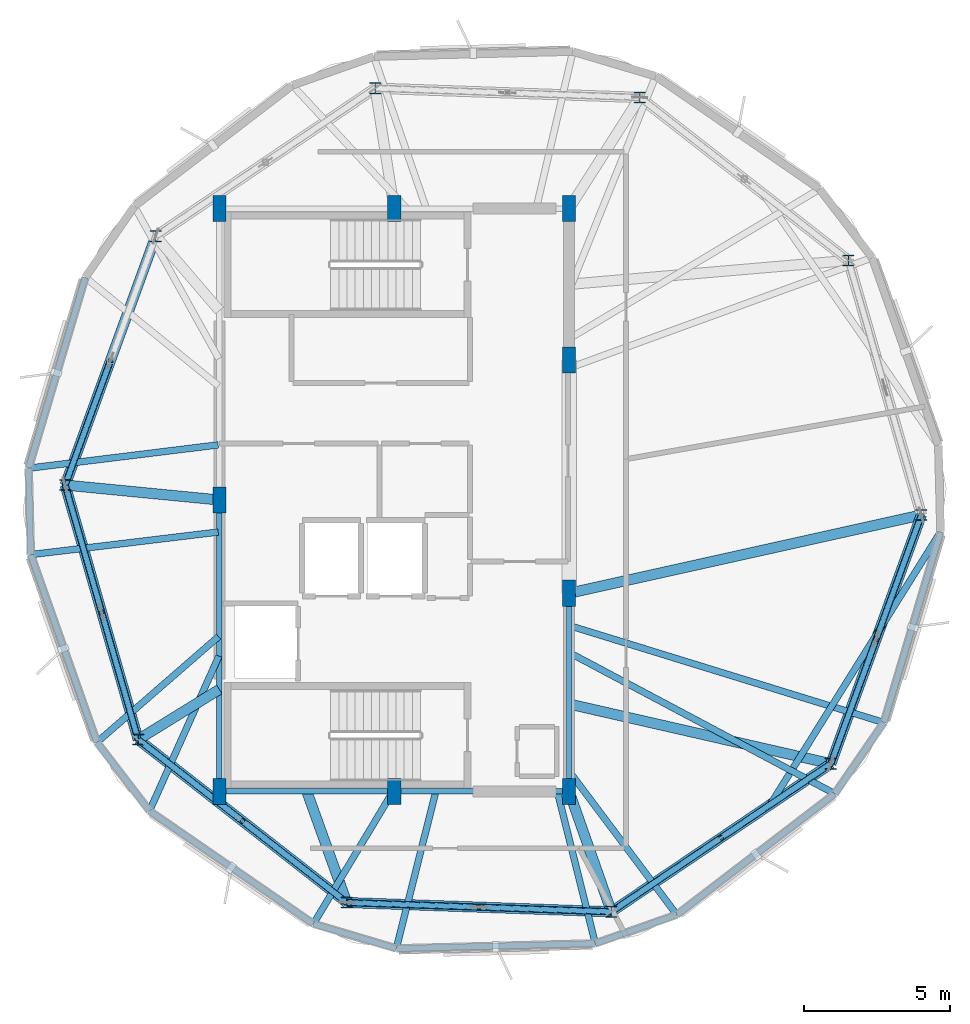
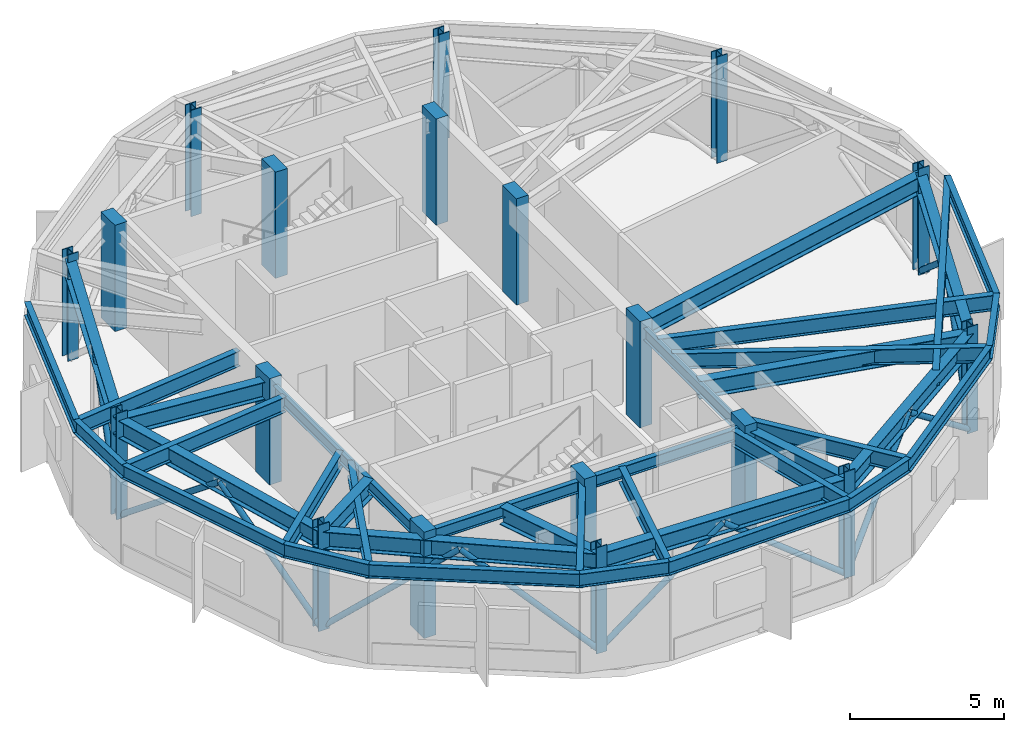
# One storey, part 1 of 9: 38 beams, 19 columns, 11 members.
"""IFC4 building model written with IfcOpenShell, lengths in metres."""

from ifc_helpers import new_model, si_unit, direction, frame, origin, origin_2d, place, context, subcontext, project, spatial, rectangle, hollow_circle, i_section, extrude, material, material_profile, profile_set, type_object, element, save


model = new_model("IFC4")

# Units and contexts
model_context = context("Model", 3, precision=1e-05, world=origin(), true_north=direction((0.0, 1.0)))
body_context = subcontext(model_context, "Body", "Model", "MODEL_VIEW")
ifc_project = project(units=[si_unit("LENGTHUNIT", "METRE"), si_unit("AREAUNIT", "SQUARE_METRE"), si_unit("VOLUMEUNIT", "CUBIC_METRE"), si_unit("PLANEANGLEUNIT", "RADIAN"), si_unit("MASSUNIT", "GRAM", prefix="KILO")], contexts=[model_context])

# Site, building, storey
site_placement = place(None, origin())
site = spatial("IfcSite", under=ifc_project, at=site_placement, CompositionType="ELEMENT")
building_placement = place(site_placement, origin())
building = spatial("IfcBuilding", under=site, at=building_placement, Name="Soratama Intermodal Tower", CompositionType="ELEMENT")
storey_placement = place(building_placement, frame((0.0, 0.0, 305.64990234375)))
storey = spatial("IfcBuildingStorey", under=building, at=storey_placement, Name="L77", CompositionType="ELEMENT", Elevation=305.64990234375)

# Columns
ifc_material_1 = material(Name="Structural steel ASTM A992 Grade 50", Category="steel")
ifc_material_profile_1 = material_profile(ifc_material_1, i_section(OverallWidth=0.39794921875, OverallDepth=0.386962890625, WebThickness=0.02099609375, FlangeThickness=0.033203125, FilletRadius=0.0380859375, at=origin_2d()), Name="W14X176")
ifc_profile_set_1 = profile_set([ifc_material_profile_1], Name="Structural steel ASTM A992 Grade 50")
column_type_1 = type_object("IfcColumnType", Name="COL-ZF-W14X176", PredefinedType="COLUMN", material=ifc_profile_set_1)
for number, where, z_axis, x_axis, name in (
    (1, (54.18701171875, 33.22021484375, 0.0), (0.0, 0.0, 1.0), (1.0, 0.0, 0.0), "L77 Tower Ring Column R01"),
    (2, (47.027587890625, 38.8134765625, 0.0), (0.0, 0.0, 1.0), (1.0, 0.0, 0.0), "L77 Tower Ring Column R02"),
    (3, (37.947998046875, 39.130615234375, 0.0), (0.0, 0.0, 1.0), (1.0, 0.0, 0.0), "L77 Tower Ring Column R03"),
    (4, (30.416259765625, 34.05029296875, 0.0), (0.0, 0.0, 1.0), (1.0, 0.0, 0.0), "L77 Tower Ring Column R04"),
    (5, (27.30908203125, 25.512939453125, 0.0), (0.0, 0.0, 1.0), (1.0, 0.0, 0.0), "L77 Tower Ring Column R05"),
    (6, (29.81298828125, 16.77978515625, 0.0), (0.0, 0.0, 1.0), (1.0, 0.0, 0.0), "L77 Tower Ring Column R06"),
    (7, (36.972412109375, 11.1865234375, 0.0), (0.0, 0.0, 1.0), (1.0, 0.0, 0.0), "L77 Tower Ring Column R07"),
    (8, (46.052001953125, 10.869384765625, 0.0), (0.0, 0.0, 1.0), (1.0, 0.0, 0.0), "L77 Tower Ring Column R08"),
    (9, (53.583740234375, 15.94970703125, 0.0), (0.0, 0.0, 1.0), (1.0, 0.0, 0.0), "L77 Tower Ring Column R09"),
    (10, (56.69091796875, 24.487060546875, 0.0), (0.0, 0.0, 1.0), (1.0, 0.0, 0.0), "L77 Tower Ring Column R10"),
):
    element("IfcColumn", number, at=place(storey_placement, frame(where, z_axis=z_axis, x_axis=x_axis)), inside=storey, type_object=column_type_1, Name=name, PredefinedType="COLUMN", context=body_context, shape_type="SweptSolid", body=[
        extrude(i_section(OverallWidth=0.39794921875, OverallDepth=0.386962890625, WebThickness=0.02099609375, FlangeThickness=0.033203125, FilletRadius=0.0380859375, at=origin_2d()), origin(), (0.0, 0.0, 1.0), 4.2001953125),
    ])
ifc_material_2 = material(Name="Concrete f'c 56 MPa", Category="concrete")
ifc_material_profile_2 = material_profile(ifc_material_2, rectangle(XDim=0.449951171875, YDim=0.89990234375, at=origin_2d()), Name="RC450X900")
ifc_profile_set_2 = profile_set([ifc_material_profile_2], Name="Concrete f'c 56 MPa")
column_type_2 = type_object("IfcColumnType", Name="PIL-CORE-450X900", PredefinedType="PILASTER", material=ifc_profile_set_2)
for number, where, z_axis, x_axis, name in (
    (11, (32.60009765625, 15.0, 0.0), (0.0, 0.0, 1.0), (1.0, 0.0, 0.0), "L77 Core Pilaster 1"),
    (12, (32.60009765625, 25.0, 0.0), (0.0, 0.0, 1.0), (1.0, 0.0, 0.0), "L77 Core Pilaster 2"),
    (13, (32.60009765625, 35.0, 0.0), (0.0, 0.0, 1.0), (1.0, 0.0, 0.0), "L77 Core Pilaster 3"),
    (14, (38.60009765625, 15.0, 0.0), (0.0, 0.0, 1.0), (1.0, 0.0, 0.0), "L77 Core Pilaster 4"),
    (15, (38.60009765625, 35.0, 0.0), (0.0, 0.0, 1.0), (1.0, 0.0, 0.0), "L77 Core Pilaster 5"),
    (16, (44.60009765625, 15.0, 0.0), (0.0, 0.0, 1.0), (1.0, 0.0, 0.0), "L77 Core Pilaster 6"),
    (17, (44.60009765625, 21.800048828125, 0.0), (0.0, 0.0, 1.0), (1.0, 0.0, 0.0), "L77 Core Pilaster 7"),
    (18, (44.60009765625, 29.800048828125, 0.0), (0.0, 0.0, 1.0), (1.0, 0.0, 0.0), "L77 Core Pilaster 8"),
    (19, (44.60009765625, 35.0, 0.0), (0.0, 0.0, 1.0), (1.0, 0.0, 0.0), "L77 Core Pilaster 9"),
):
    element("IfcColumn", number, at=place(storey_placement, frame(where, z_axis=z_axis, x_axis=x_axis)), inside=storey, type_object=column_type_2, Name=name, PredefinedType="PILASTER", context=body_context, shape_type="SweptSolid", body=[
        extrude(rectangle(XDim=0.449951171875, YDim=0.89990234375, at=origin_2d()), origin(), (0.0, 0.0, 1.0), 4.2001953125),
    ])

# Beams
ifc_material_3 = material(Name="Structural steel ASTM A992 Grade 50", Category="steel")
ifc_material_profile_3 = material_profile(ifc_material_3, i_section(OverallWidth=0.19091796875, OverallDepth=0.4599609375, WebThickness=0.010009765625, FlangeThickness=0.01611328125, FilletRadius=0.010986328125, at=origin_2d()), Name="W18X55")
ifc_profile_set_3 = profile_set([ifc_material_profile_3], Name="Structural steel ASTM A992 Grade 50")
beam_type_1 = type_object("IfcBeamType", Name="BM-FLR-W18X55", PredefinedType="BEAM", material=ifc_profile_set_3)
for number, where, z_axis, x_axis, name in (
    (20, (32.60009765625, 15.0, 3.6650390625), (1.0, 0.0, 0.0), (0.0, 1.0, 0.0), "BM-L77-CRING-01"),
    (21, (38.60009765625, 15.0, 3.6650390625), (1.0, 0.0, 0.0), (0.0, 1.0, 0.0), "BM-L77-CRING-02"),
):
    element("IfcBeam", number, at=place(storey_placement, frame(where, z_axis=z_axis, x_axis=x_axis)), inside=storey, type_object=beam_type_1, Name=name, PredefinedType="BEAM", context=body_context, shape_type="SweptSolid", body=[
        extrude(i_section(OverallWidth=0.19091796875, OverallDepth=0.4599609375, WebThickness=0.010009765625, FlangeThickness=0.01611328125, FilletRadius=0.010986328125, at=origin_2d()), origin(), (0.0, 0.0, 1.0), 6.0),
    ])
beam_1_placement = place(storey_placement, frame((44.60009765625, 15.0, 3.6650390625), z_axis=(0.0, 1.0, 0.0), x_axis=(-1.0, 0.0, 0.0)))
element("IfcBeam", 22, at=beam_1_placement, inside=storey, type_object=beam_type_1, Name="BM-L77-CRING-03", PredefinedType="BEAM", context=body_context, shape_type="SweptSolid", body=[
    extrude(i_section(OverallWidth=0.19091796875, OverallDepth=0.4599609375, WebThickness=0.010009765625, FlangeThickness=0.01611328125, FilletRadius=0.010986328125, at=origin_2d()), origin(), (0.0, 0.0, 1.0), 6.800048828125),
])
beam_2_placement = place(storey_placement, frame((32.60009765625, 25.0, 3.6650390625), z_axis=(0.0, -1.0, 0.0), x_axis=(1.0, 0.0, 0.0)))
element("IfcBeam", 23, at=beam_2_placement, inside=storey, type_object=beam_type_1, Name="BM-L77-CRING-09", PredefinedType="BEAM", context=body_context, shape_type="SweptSolid", body=[
    extrude(i_section(OverallWidth=0.19091796875, OverallDepth=0.4599609375, WebThickness=0.010009765625, FlangeThickness=0.01611328125, FilletRadius=0.010986328125, at=origin_2d()), origin(), (0.0, 0.0, 1.0), 10.0),
])
ifc_material_4 = material(Name="Structural steel ASTM A992 Grade 50", Category="steel")
ifc_material_profile_4 = material_profile(ifc_material_4, i_section(OverallWidth=0.35498046875, OverallDepth=0.695068359375, WebThickness=0.015380859375, FlangeThickness=0.02490234375, FilletRadius=0.01611328125, at=origin_2d()), Name="W27X146")
ifc_profile_set_4 = profile_set([ifc_material_profile_4], Name="Structural steel ASTM A992 Grade 50")
beam_type_2 = type_object("IfcBeamType", Name="BM-RING-W27X146", PredefinedType="BEAM", material=ifc_profile_set_4)
beam_3_placement = place(storey_placement, frame((30.416015625, 34.050048828125, 3.547607421875), z_axis=(-0.341989029925, -0.939703944555, 0.0), x_axis=(0.939703944555, -0.341989029925, 0.0)))
element("IfcBeam", 24, at=beam_3_placement, inside=storey, type_object=beam_type_2, Name="BM-L77-RING-04", PredefinedType="BEAM", context=body_context, shape_type="SweptSolid", body=[
    extrude(i_section(OverallWidth=0.35498046875, OverallDepth=0.695068359375, WebThickness=0.015380859375, FlangeThickness=0.02490234375, FilletRadius=0.01611328125, at=origin_2d()), origin(), (0.0, 0.0, 1.0), 9.0849609375),
])
for number, where, z_axis, x_axis, name in (
    (25, (27.30908203125, 25.512939453125, 3.547607421875), (0.275615442928, -0.961267979088, 0.0), (0.961267979088, 0.275615442928, 0.0), "BM-L77-RING-05"),
    (26, (29.81298828125, 16.780029296875, 3.547607421875), (0.78801907717, -0.615650821502, 0.0), (0.615650821502, 0.78801907717, 0.0), "BM-L77-RING-06"),
):
    element("IfcBeam", number, at=place(storey_placement, frame(where, z_axis=z_axis, x_axis=x_axis)), inside=storey, type_object=beam_type_2, Name=name, PredefinedType="BEAM", context=body_context, shape_type="SweptSolid", body=[
        extrude(i_section(OverallWidth=0.35498046875, OverallDepth=0.695068359375, WebThickness=0.015380859375, FlangeThickness=0.02490234375, FilletRadius=0.01611328125, at=origin_2d()), origin(), (0.0, 0.0, 1.0), 9.084716796875),
    ])
beam_4_placement = place(storey_placement, frame((36.971923828125, 11.18701171875, 3.547607421875), z_axis=(0.999391551516, -0.034878743651, 0.0), x_axis=(0.034878743651, 0.999391551516, 0.0)))
element("IfcBeam", 27, at=beam_4_placement, inside=storey, type_object=beam_type_2, Name="BM-L77-RING-07", PredefinedType="BEAM", context=body_context, shape_type="SweptSolid", body=[
    extrude(i_section(OverallWidth=0.35498046875, OverallDepth=0.695068359375, WebThickness=0.015380859375, FlangeThickness=0.02490234375, FilletRadius=0.01611328125, at=origin_2d()), origin(), (0.0, 0.0, 1.0), 9.085693359375),
])
for number, where, z_axis, x_axis, name in (
    (28, (46.052001953125, 10.8701171875, 3.547607421875), (0.829065755123, 0.559151118824, 0.0), (-0.559151118824, 0.829065755123, 0.0), "BM-L77-RING-08"),
    (29, (53.583984375, 15.949951171875, 3.547607421875), (0.341989029925, 0.939703944555, 0.0), (-0.939703944555, 0.341989029925, 0.0), "BM-L77-RING-09"),
):
    element("IfcBeam", number, at=place(storey_placement, frame(where, z_axis=z_axis, x_axis=x_axis)), inside=storey, type_object=beam_type_2, Name=name, PredefinedType="BEAM", context=body_context, shape_type="SweptSolid", body=[
        extrude(i_section(OverallWidth=0.35498046875, OverallDepth=0.695068359375, WebThickness=0.015380859375, FlangeThickness=0.02490234375, FilletRadius=0.01611328125, at=origin_2d()), origin(), (0.0, 0.0, 1.0), 9.0849609375),
    ])
beam_5_placement = place(storey_placement, frame((32.60009765625, 25.0, 3.547607421875), z_axis=(-0.995333664321, 0.096492987668, 0.0), x_axis=(-0.096492987668, -0.995333664321, 0.0)))
element("IfcBeam", 30, at=beam_5_placement, inside=storey, type_object=beam_type_2, Name="BM-L77-RAD-05", PredefinedType="BEAM", context=body_context, shape_type="SweptSolid", body=[
    extrude(i_section(OverallWidth=0.35498046875, OverallDepth=0.695068359375, WebThickness=0.015380859375, FlangeThickness=0.02490234375, FilletRadius=0.01611328125, at=origin_2d()), origin(), (0.0, 0.0, 1.0), 5.31591796875),
])
beam_6_placement = place(storey_placement, frame((32.60009765625, 18.5, 3.547607421875), z_axis=(-0.850999862817, -0.525165910437, 0.0), x_axis=(0.525165910437, -0.850999862817, 0.0)))
element("IfcBeam", 31, at=beam_6_placement, inside=storey, type_object=beam_type_2, Name="BM-L77-RAD-06", PredefinedType="BEAM", context=body_context, shape_type="SweptSolid", body=[
    extrude(i_section(OverallWidth=0.35498046875, OverallDepth=0.695068359375, WebThickness=0.015380859375, FlangeThickness=0.02490234375, FilletRadius=0.01611328125, at=origin_2d()), origin(), (0.0, 0.0, 1.0), 3.275146484375),
])
beam_7_placement = place(storey_placement, frame((35.60009765625, 15.0, 3.547607421875), z_axis=(0.33853385328, -0.940954212586, 0.0), x_axis=(0.940954212586, 0.33853385328, 0.0)))
element("IfcBeam", 32, at=beam_7_placement, inside=storey, type_object=beam_type_2, Name="BM-L77-RAD-07", PredefinedType="BEAM", context=body_context, shape_type="SweptSolid", body=[
    extrude(i_section(OverallWidth=0.35498046875, OverallDepth=0.695068359375, WebThickness=0.015380859375, FlangeThickness=0.02490234375, FilletRadius=0.01611328125, at=origin_2d()), origin(), (0.0, 0.0, 1.0), 4.05224609375),
])
beam_8_placement = place(storey_placement, frame((44.60009765625, 15.0, 3.547607421875), z_axis=(0.331661746867, -0.943398370608, 0.0), x_axis=(0.943398370608, 0.331661746867, 0.0)))
element("IfcBeam", 33, at=beam_8_placement, inside=storey, type_object=beam_type_2, Name="BM-L77-RAD-08", PredefinedType="BEAM", context=body_context, shape_type="SweptSolid", body=[
    extrude(i_section(OverallWidth=0.35498046875, OverallDepth=0.695068359375, WebThickness=0.015380859375, FlangeThickness=0.02490234375, FilletRadius=0.01611328125, at=origin_2d()), origin(), (0.0, 0.0, 1.0), 4.377685546875),
])
beam_9_placement = place(storey_placement, frame((44.60009765625, 18.0, 3.547607421875), z_axis=(0.974938851068, -0.222473002131, 0.0), x_axis=(0.222473002131, 0.974938851068, 0.0)))
element("IfcBeam", 34, at=beam_9_placement, inside=storey, type_object=beam_type_2, Name="BM-L77-RAD-09", PredefinedType="BEAM", context=body_context, shape_type="SweptSolid", body=[
    extrude(i_section(OverallWidth=0.35498046875, OverallDepth=0.695068359375, WebThickness=0.015380859375, FlangeThickness=0.02490234375, FilletRadius=0.01611328125, at=origin_2d()), origin(), (0.0, 0.0, 1.0), 9.21484375),
])
beam_10_placement = place(storey_placement, frame((44.60009765625, 21.800048828125, 3.547607421875), z_axis=(0.976184277327, 0.216942980298, 0.0), x_axis=(-0.216942980298, 0.976184277327, 0.0)))
element("IfcBeam", 35, at=beam_10_placement, inside=storey, type_object=beam_type_2, Name="BM-L77-RAD-10", PredefinedType="BEAM", context=body_context, shape_type="SweptSolid", body=[
    extrude(i_section(OverallWidth=0.35498046875, OverallDepth=0.695068359375, WebThickness=0.015380859375, FlangeThickness=0.02490234375, FilletRadius=0.01611328125, at=origin_2d()), origin(), (0.0, 0.0, 1.0), 12.3857421875),
])
ifc_material_5 = material(Name="Structural steel ASTM A992 Grade 50", Category="steel")
ifc_material_profile_5 = material_profile(ifc_material_5, i_section(OverallWidth=0.2099609375, OverallDepth=0.537109375, WebThickness=0.010986328125, FlangeThickness=0.017333984375, FilletRadius=0.012939453125, at=origin_2d()), Name="W21X68")
ifc_profile_set_5 = profile_set([ifc_material_profile_5], Name="Structural steel ASTM A992 Grade 50")
beam_type_3 = type_object("IfcBeamType", Name="BM-SPN-W21X68", PredefinedType="SPANDREL", material=ifc_profile_set_5)
beam_11_placement = place(storey_placement, frame((27.9970703125, 32.637939453125, 3.626708984375), z_axis=(-0.285019079127, -0.958521843535, 0.0), x_axis=(0.958521843535, -0.285019079127, 0.0)))
element("IfcBeam", 36, at=beam_11_placement, inside=storey, type_object=beam_type_3, Name="BS-L77-F03", PredefinedType="SPANDREL", context=body_context, shape_type="SweptSolid", body=[
    extrude(i_section(OverallWidth=0.2099609375, OverallDepth=0.537109375, WebThickness=0.010986328125, FlangeThickness=0.017333984375, FilletRadius=0.012939453125, at=origin_2d()), origin(), (0.0, 0.0, 1.0), 6.831298828125),
])
beam_12_placement = place(storey_placement, frame((26.050048828125, 26.090087890625, 3.626708984375), z_axis=(0.024940777762, -0.99968893042, 0.0), x_axis=(0.99968893042, 0.024940777762, 0.0)))
element("IfcBeam", 37, at=beam_12_placement, inside=storey, type_object=beam_type_3, Name="BS-L77-CRN03", PredefinedType="SPANDREL", context=body_context, shape_type="SweptSolid", body=[
    extrude(i_section(OverallWidth=0.2099609375, OverallDepth=0.537109375, WebThickness=0.010986328125, FlangeThickness=0.017333984375, FilletRadius=0.012939453125, at=origin_2d()), origin(), (0.0, 0.0, 1.0), 2.966064453125),
])
beam_13_placement = place(storey_placement, frame((26.1240234375, 23.125, 3.626708984375), z_axis=(0.332861243302, -0.942975817668, 0.0), x_axis=(0.942975817668, 0.332861243302, 0.0)))
element("IfcBeam", 38, at=beam_13_placement, inside=storey, type_object=beam_type_3, Name="BS-L77-F04", PredefinedType="SPANDREL", context=body_context, shape_type="SweptSolid", body=[
    extrude(i_section(OverallWidth=0.2099609375, OverallDepth=0.537109375, WebThickness=0.010986328125, FlangeThickness=0.017333984375, FilletRadius=0.012939453125, at=origin_2d()), origin(), (0.0, 0.0, 1.0), 6.83154296875),
])
beam_14_placement = place(storey_placement, frame((28.39794921875, 16.68310546875, 3.626708984375), z_axis=(0.607859420351, -0.794044661899, 0.0), x_axis=(0.794044661899, 0.607859420351, 0.0)))
element("IfcBeam", 39, at=beam_14_placement, inside=storey, type_object=beam_type_3, Name="BS-L77-CRN04", PredefinedType="SPANDREL", context=body_context, shape_type="SweptSolid", body=[
    extrude(i_section(OverallWidth=0.2099609375, OverallDepth=0.537109375, WebThickness=0.010986328125, FlangeThickness=0.017333984375, FilletRadius=0.012939453125, at=origin_2d()), origin(), (0.0, 0.0, 1.0), 2.966064453125),
])
beam_15_placement = place(storey_placement, frame((30.200927734375, 14.327880859375, 3.626708984375), z_axis=(0.823553605691, -0.567238449467, 0.0), x_axis=(0.567238449467, 0.823553605691, 0.0)))
element("IfcBeam", 40, at=beam_15_placement, inside=storey, type_object=beam_type_3, Name="BS-L77-F05", PredefinedType="SPANDREL", context=body_context, shape_type="SweptSolid", body=[
    extrude(i_section(OverallWidth=0.2099609375, OverallDepth=0.537109375, WebThickness=0.010986328125, FlangeThickness=0.017333984375, FilletRadius=0.012939453125, at=origin_2d()), origin(), (0.0, 0.0, 1.0), 6.831298828125),
])
beam_16_placement = place(storey_placement, frame((35.826904296875, 10.452880859375, 3.626708984375), z_axis=(0.958469489688, -0.285195086455, 0.0), x_axis=(0.285195086455, 0.958469489688, 0.0)))
element("IfcBeam", 41, at=beam_16_placement, inside=storey, type_object=beam_type_3, Name="BS-L77-CRN05", PredefinedType="SPANDREL", context=body_context, shape_type="SweptSolid", body=[
    extrude(i_section(OverallWidth=0.2099609375, OverallDepth=0.537109375, WebThickness=0.010986328125, FlangeThickness=0.017333984375, FilletRadius=0.012939453125, at=origin_2d()), origin(), (0.0, 0.0, 1.0), 2.96630859375),
])
beam_17_placement = place(storey_placement, frame((38.669921875, 9.60693359375, 3.626708984375), z_axis=(0.999682536097, 0.025195773915, 0.0), x_axis=(-0.025195773915, 0.999682536097, 0.0)))
element("IfcBeam", 42, at=beam_17_placement, inside=storey, type_object=beam_type_3, Name="BS-L77-F06", PredefinedType="SPANDREL", context=body_context, shape_type="SweptSolid", body=[
    extrude(i_section(OverallWidth=0.2099609375, OverallDepth=0.537109375, WebThickness=0.010986328125, FlangeThickness=0.017333984375, FilletRadius=0.012939453125, at=origin_2d()), origin(), (0.0, 0.0, 1.0), 6.831298828125),
])
beam_18_placement = place(storey_placement, frame((45.4990234375, 9.779052734375, 3.626708984375), z_axis=(0.943043488916, 0.332669472619, 0.0), x_axis=(-0.332669472619, 0.943043488916, 0.0)))
element("IfcBeam", 43, at=beam_18_placement, inside=storey, type_object=beam_type_3, Name="BS-L77-CRN06", PredefinedType="SPANDREL", context=body_context, shape_type="SweptSolid", body=[
    extrude(i_section(OverallWidth=0.2099609375, OverallDepth=0.537109375, WebThickness=0.010986328125, FlangeThickness=0.017333984375, FilletRadius=0.012939453125, at=origin_2d()), origin(), (0.0, 0.0, 1.0), 2.967041015625),
])
beam_19_placement = place(storey_placement, frame((48.297119140625, 10.76611328125, 3.626708984375), z_axis=(0.793990459757, 0.607930217882, 0.0), x_axis=(-0.607930217882, 0.793990459757, 0.0)))
element("IfcBeam", 44, at=beam_19_placement, inside=storey, type_object=beam_type_3, Name="BS-L77-F07", PredefinedType="SPANDREL", context=body_context, shape_type="SweptSolid", body=[
    extrude(i_section(OverallWidth=0.2099609375, OverallDepth=0.537109375, WebThickness=0.010986328125, FlangeThickness=0.017333984375, FilletRadius=0.012939453125, at=origin_2d()), origin(), (0.0, 0.0, 1.0), 6.8310546875),
])
beam_20_placement = place(storey_placement, frame((53.720947265625, 14.9189453125, 3.626708984375), z_axis=(0.567098071551, 0.823650276054, 0.0), x_axis=(-0.823650276054, 0.567098071551, 0.0)))
element("IfcBeam", 45, at=beam_20_placement, inside=storey, type_object=beam_type_3, Name="BS-L77-CRN07", PredefinedType="SPANDREL", context=body_context, shape_type="SweptSolid", body=[
    extrude(i_section(OverallWidth=0.2099609375, OverallDepth=0.537109375, WebThickness=0.010986328125, FlangeThickness=0.017333984375, FilletRadius=0.012939453125, at=origin_2d()), origin(), (0.0, 0.0, 1.0), 2.96630859375),
])
beam_21_placement = place(storey_placement, frame((55.403076171875, 17.362060546875, 3.626708984375), z_axis=(0.285019079127, 0.958521843535, 0.0), x_axis=(-0.958521843535, 0.285019079127, 0.0)))
element("IfcBeam", 46, at=beam_21_placement, inside=storey, type_object=beam_type_3, Name="BS-L77-F08", PredefinedType="SPANDREL", context=body_context, shape_type="SweptSolid", body=[
    extrude(i_section(OverallWidth=0.2099609375, OverallDepth=0.537109375, WebThickness=0.010986328125, FlangeThickness=0.017333984375, FilletRadius=0.012939453125, at=origin_2d()), origin(), (0.0, 0.0, 1.0), 6.831298828125),
])
ifc_material_6 = material(Name="Structural steel ASTM A992 Grade 50", Category="steel")
ifc_material_profile_6 = material_profile(ifc_material_6, i_section(OverallWidth=0.22900390625, OverallDepth=0.612060546875, WebThickness=0.011962890625, FlangeThickness=0.01953125, FilletRadius=0.012939453125, at=origin_2d()), Name="W24X84")
ifc_profile_set_6 = profile_set([ifc_material_profile_6], Name="Structural steel ASTM A992 Grade 50")
beam_type_4 = type_object("IfcBeamType", Name="BM-TIE-W24X84", PredefinedType="BEAM", material=ifc_profile_set_6)
beam_22_placement = place(storey_placement, frame((32.56005859375, 26.89111328125, 3.589111328125), z_axis=(-0.992514828922, -0.122124176025, 0.0), x_axis=(0.122124176025, -0.992514828922, 0.0)))
element("IfcBeam", 47, at=beam_22_placement, inside=storey, type_object=beam_type_4, Name="BM-L77-TIE1-03", PredefinedType="BEAM", context=body_context, shape_type="SweptSolid", body=[
    extrude(i_section(OverallWidth=0.22900390625, OverallDepth=0.612060546875, WebThickness=0.011962890625, FlangeThickness=0.01953125, FilletRadius=0.012939453125, at=origin_2d()), origin(), (0.0, 0.0, 1.0), 6.55908203125),
])
beam_23_placement = place(storey_placement, frame((32.56005859375, 23.89990234375, 3.589111328125), z_axis=(-0.992829714037, -0.119537270023, 0.0), x_axis=(0.119537270023, -0.992829714037, 0.0)))
element("IfcBeam", 48, at=beam_23_placement, inside=storey, type_object=beam_type_4, Name="BM-L77-TIE0-04", PredefinedType="BEAM", context=body_context, shape_type="SweptSolid", body=[
    extrude(i_section(OverallWidth=0.22900390625, OverallDepth=0.612060546875, WebThickness=0.011962890625, FlangeThickness=0.01953125, FilletRadius=0.012939453125, at=origin_2d()), origin(), (0.0, 0.0, 1.0), 6.482421875),
])
beam_24_placement = place(storey_placement, frame((32.570068359375, 20.31201171875, 3.589111328125), z_axis=(-0.754518066411, -0.656279275507, 0.0), x_axis=(0.656279275507, -0.754518066411, 0.0)))
element("IfcBeam", 49, at=beam_24_placement, inside=storey, type_object=beam_type_4, Name="BM-L77-TIE1-04", PredefinedType="BEAM", context=body_context, shape_type="SweptSolid", body=[
    extrude(i_section(OverallWidth=0.22900390625, OverallDepth=0.612060546875, WebThickness=0.011962890625, FlangeThickness=0.01953125, FilletRadius=0.012939453125, at=origin_2d()), origin(), (0.0, 0.0, 1.0), 5.529541015625),
])
beam_25_placement = place(storey_placement, frame((32.583984375, 19.64501953125, 3.589111328125), z_axis=(-0.408986124839, -0.912540601666, 0.0), x_axis=(0.912540601666, -0.408986124839, 0.0)))
element("IfcBeam", 50, at=beam_25_placement, inside=storey, type_object=beam_type_4, Name="BM-L77-TIE0-05", PredefinedType="BEAM", context=body_context, shape_type="SweptSolid", body=[
    extrude(i_section(OverallWidth=0.22900390625, OverallDepth=0.612060546875, WebThickness=0.011962890625, FlangeThickness=0.01953125, FilletRadius=0.012939453125, at=origin_2d()), origin(), (0.0, 0.0, 1.0), 5.82666015625),
])
beam_26_placement = place(storey_placement, frame((38.537109375, 14.966064453125, 3.589111328125), z_axis=(-0.514816257166, -0.857300543192, 0.0), x_axis=(0.857300543192, -0.514816257166, 0.0)))
element("IfcBeam", 51, at=beam_26_placement, inside=storey, type_object=beam_type_4, Name="BM-L77-TIE1-05", PredefinedType="BEAM", context=body_context, shape_type="SweptSolid", body=[
    extrude(i_section(OverallWidth=0.22900390625, OverallDepth=0.612060546875, WebThickness=0.011962890625, FlangeThickness=0.01953125, FilletRadius=0.012939453125, at=origin_2d()), origin(), (0.0, 0.0, 1.0), 5.264404296875),
])
beam_27_placement = place(storey_placement, frame((40.01904296875, 14.9609375, 3.589111328125), z_axis=(-0.244345516365, -0.969688232698, 0.0), x_axis=(0.969688232698, -0.244345516365, 0.0)))
element("IfcBeam", 52, at=beam_27_placement, inside=storey, type_object=beam_type_4, Name="BM-L77-TIE0-06", PredefinedType="BEAM", context=body_context, shape_type="SweptSolid", body=[
    extrude(i_section(OverallWidth=0.22900390625, OverallDepth=0.612060546875, WebThickness=0.011962890625, FlangeThickness=0.01953125, FilletRadius=0.012939453125, at=origin_2d()), origin(), (0.0, 0.0, 1.0), 5.521484375),
])
beam_28_placement = place(storey_placement, frame((44.2060546875, 14.9609375, 3.589111328125), z_axis=(0.242094606604, -0.970252648259, 0.0), x_axis=(0.970252648259, 0.242094606604, 0.0)))
element("IfcBeam", 53, at=beam_28_placement, inside=storey, type_object=beam_type_4, Name="BM-L77-TIE1-06", PredefinedType="BEAM", context=body_context, shape_type="SweptSolid", body=[
    extrude(i_section(OverallWidth=0.22900390625, OverallDepth=0.612060546875, WebThickness=0.011962890625, FlangeThickness=0.01953125, FilletRadius=0.012939453125, at=origin_2d()), origin(), (0.0, 0.0, 1.0), 5.3408203125),
])
beam_29_placement = place(storey_placement, frame((44.6240234375, 15.6640625, 3.589111328125), z_axis=(0.599961716611, -0.80002871111, 0.0), x_axis=(0.80002871111, 0.599961716611, 0.0)))
element("IfcBeam", 54, at=beam_29_placement, inside=storey, type_object=beam_type_4, Name="BM-L77-TIE0-07", PredefinedType="BEAM", context=body_context, shape_type="SweptSolid", body=[
    extrude(i_section(OverallWidth=0.22900390625, OverallDepth=0.612060546875, WebThickness=0.011962890625, FlangeThickness=0.01953125, FilletRadius=0.012939453125, at=origin_2d()), origin(), (0.0, 0.0, 1.0), 6.122314453125),
])
beam_30_placement = place(storey_placement, frame((44.635009765625, 19.7470703125, 3.589111328125), z_axis=(0.883066559585, -0.469247750493, 0.0), x_axis=(0.469247750493, 0.883066559585, 0.0)))
element("IfcBeam", 55, at=beam_30_placement, inside=storey, type_object=beam_type_4, Name="BM-L77-TIE1-07", PredefinedType="BEAM", context=body_context, shape_type="SweptSolid", body=[
    extrude(i_section(OverallWidth=0.22900390625, OverallDepth=0.612060546875, WebThickness=0.011962890625, FlangeThickness=0.01953125, FilletRadius=0.012939453125, at=origin_2d()), origin(), (0.0, 0.0, 1.0), 10.2890625),
])
beam_31_placement = place(storey_placement, frame((44.637939453125, 20.680908203125, 3.589111328125), z_axis=(0.955616731521, -0.294612732986, 0.0), x_axis=(0.294612732986, 0.955616731521, 0.0)))
element("IfcBeam", 56, at=beam_31_placement, inside=storey, type_object=beam_type_4, Name="BM-L77-TIE0-08", PredefinedType="BEAM", context=body_context, shape_type="SweptSolid", body=[
    extrude(i_section(OverallWidth=0.22900390625, OverallDepth=0.612060546875, WebThickness=0.011962890625, FlangeThickness=0.01953125, FilletRadius=0.012939453125, at=origin_2d()), origin(), (0.0, 0.0, 1.0), 11.26513671875),
])
beam_32_placement = place(storey_placement, frame((51.52392578125, 14.580078125, 3.589111328125), z_axis=(0.529673699371, 0.848201492686, 0.0), x_axis=(-0.848201492686, 0.529673699371, 0.0)))
element("IfcBeam", 57, at=beam_32_placement, inside=storey, type_object=beam_type_4, Name="BM-L77-TIE1-08", PredefinedType="BEAM", context=body_context, shape_type="SweptSolid", body=[
    extrude(i_section(OverallWidth=0.22900390625, OverallDepth=0.612060546875, WebThickness=0.011962890625, FlangeThickness=0.01953125, FilletRadius=0.012939453125, at=origin_2d()), origin(), (0.0, 0.0, 1.0), 10.99951171875),
])

# Members
ifc_material_7 = material(Name="Structural steel ASTM A500 Grade C", Category="steel")
ifc_material_profile_7 = material_profile(ifc_material_7, hollow_circle(Radius=0.109619140625, WallThickness=0.010009765625, at=origin_2d()), Name="CHS219X10")
ifc_profile_set_7 = profile_set([ifc_material_profile_7], Name="Structural steel ASTM A500 Grade C")
member_type = type_object("IfcMemberType", Name="MB-DIAG-CHS219", PredefinedType="BRACE", material=ifc_profile_set_7)
member_1_placement = place(storey_placement, frame((27.30908203125, 25.512939453125, 0.010009765625), z_axis=(0.269817795146, 0.741394677092, 0.614436563204), x_axis=(-0.939703944554, 0.341989029925, 0.0)))
element("IfcMember", 58, at=member_1_placement, inside=storey, type_object=member_type, Name="L77 Belt Truss Brace B 04", PredefinedType="BRACE", context=body_context, shape_type="SweptSolid", body=[
    extrude(hollow_circle(Radius=0.109619140625, WallThickness=0.010009765625, at=origin_2d()), origin(), (0.0, 0.0, 1.0), 5.757568359375),
])
member_2_placement = place(storey_placement, frame((27.30908203125, 25.512939453125, 0.010009765625), z_axis=(0.217450278608, -0.758404491597, 0.61444121237), x_axis=(0.961267979088, 0.275615442928, 0.0)))
element("IfcMember", 59, at=member_2_placement, inside=storey, type_object=member_type, Name="L77 Belt Truss Brace A 05", PredefinedType="BRACE", context=body_context, shape_type="SweptSolid", body=[
    extrude(hollow_circle(Radius=0.109619140625, WallThickness=0.010009765625, at=origin_2d()), origin(), (0.0, 0.0, 1.0), 5.75732421875),
])
for number, where, z_axis, x_axis, name in (
    (60, (29.81298828125, 16.77978515625, 0.010009765625), (-0.217443285601, 0.758422505119, 0.614421452487), (-0.961272061614, -0.275601203844, 0.0), "L77 Belt Truss Brace B 05"),
    (61, (29.81298828125, 16.77978515625, 0.010009765625), (0.621722679226, -0.485734094294, 0.614429247169), (0.615654471605, 0.788016225463, 0.0), "L77 Belt Truss Brace A 06"),
    (62, (36.972412109375, 11.1865234375, 0.010009765625), (-0.621748691194, 0.485721288797, 0.614413048858), (-0.615628397983, -0.788036595341, 0.0), "L77 Belt Truss Brace B 06"),
    (63, (36.972412109375, 11.1865234375, 0.010009765625), (0.78849352698, -0.027519887013, 0.614427061358), (0.034880617074, 0.999391486132, 0.0), "L77 Belt Truss Brace A 07"),
    (64, (46.052001953125, 10.869384765625, 0.010009765625), (-0.788492606148, 0.027562258349, 0.614426343807), (-0.034934296707, -0.99938961117, 0.0), "L77 Belt Truss Brace B 07"),
    (65, (46.052001953125, 10.869384765625, 0.010009765625), (0.654074694914, 0.441208894689, 0.614427379533), (-0.559218987032, 0.829019978373, 0.0), "L77 Belt Truss Brace A 08"),
):
    element("IfcMember", number, at=place(storey_placement, frame(where, z_axis=z_axis, x_axis=x_axis)), inside=storey, type_object=member_type, Name=name, PredefinedType="BRACE", context=body_context, shape_type="SweptSolid", body=[
        extrude(hollow_circle(Radius=0.109619140625, WallThickness=0.010009765625, at=origin_2d()), origin(), (0.0, 0.0, 1.0), 5.757568359375),
    ])
member_3_placement = place(storey_placement, frame((53.583740234375, 15.94970703125, 0.010009765625), z_axis=(-0.654086931636, -0.441174744683, 0.614438874516), x_axis=(0.55918204767, -0.829044894782, 0.0)))
element("IfcMember", 66, at=member_3_placement, inside=storey, type_object=member_type, Name="L77 Belt Truss Brace B 08", PredefinedType="BRACE", context=body_context, shape_type="SweptSolid", body=[
    extrude(hollow_circle(Radius=0.109619140625, WallThickness=0.010009765625, at=origin_2d()), origin(), (0.0, 0.0, 1.0), 5.75732421875),
])
member_4_placement = place(storey_placement, frame((53.583740234375, 15.94970703125, 0.010009765625), z_axis=(0.269848628078, 0.741405289432, 0.614410216978), x_axis=(-0.939692958398, 0.342019215742, 0.0)))
element("IfcMember", 67, at=member_4_placement, inside=storey, type_object=member_type, Name="L77 Belt Truss Brace A 09", PredefinedType="BRACE", context=body_context, shape_type="SweptSolid", body=[
    extrude(hollow_circle(Radius=0.109619140625, WallThickness=0.010009765625, at=origin_2d()), origin(), (0.0, 0.0, 1.0), 5.7578125),
])
member_5_placement = place(storey_placement, frame((56.69091796875, 24.487060546875, 0.010009765625), z_axis=(-0.269817795146, -0.741394677092, 0.614436563204), x_axis=(0.939703944554, -0.341989029925, 0.0)))
element("IfcMember", 68, at=member_5_placement, inside=storey, type_object=member_type, Name="L77 Belt Truss Brace B 09", PredefinedType="BRACE", context=body_context, shape_type="SweptSolid", body=[
    extrude(hollow_circle(Radius=0.109619140625, WallThickness=0.010009765625, at=origin_2d()), origin(), (0.0, 0.0, 1.0), 5.757568359375),
])

save(model, "model.ifc")
